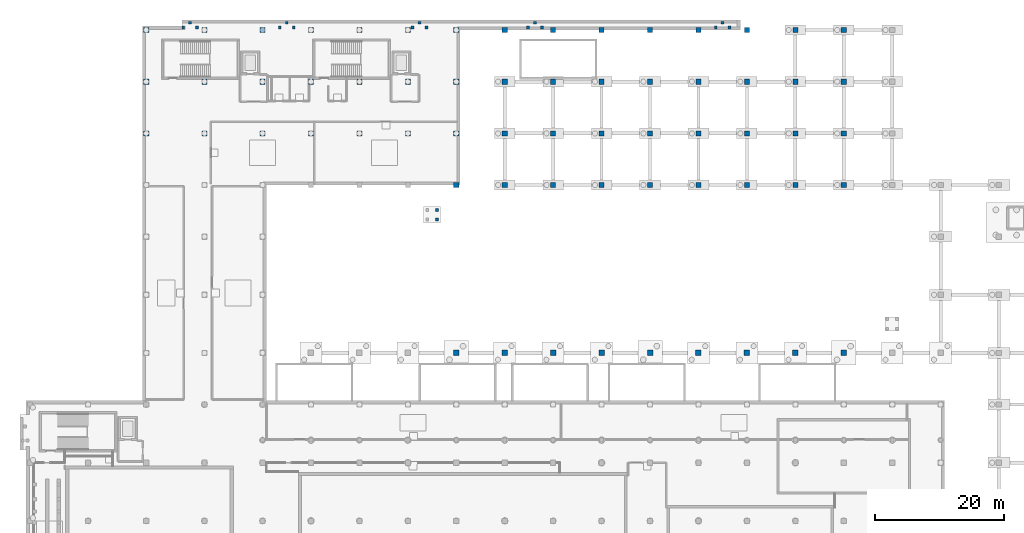
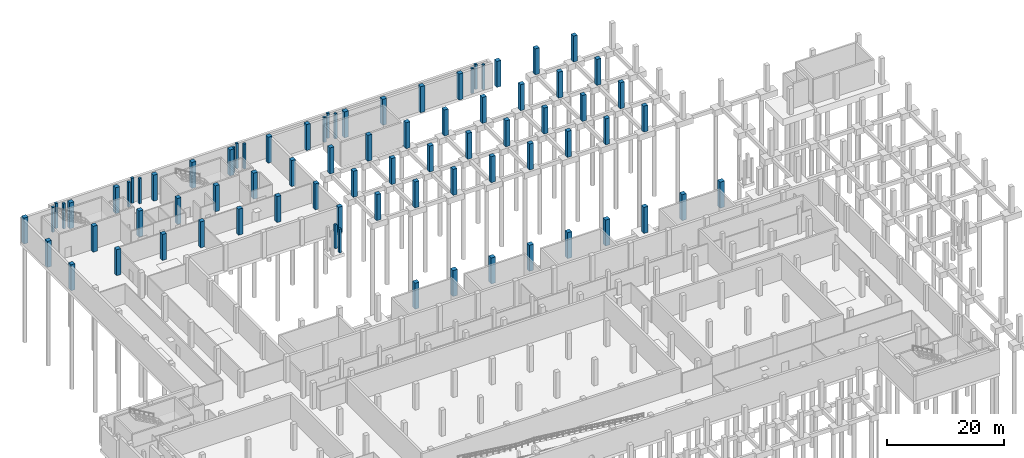
# One storey, part 5 of 19: 80 columns.
"""IFC4 building model written with IfcOpenShell, lengths in metres."""

from ifc_helpers import new_model, si_unit, direction, frame, origin, origin_2d, place, context, subcontext, project, spatial, rectangle, extrude, material, material_profile, profile_set, type_object, element, save


model = new_model("IFC4")

# Units and contexts
model_context = context("Model", 3, precision=1e-05, world=origin(), true_north=direction((0.0, 1.0)))
body_context = subcontext(model_context, "Body", "Model", "MODEL_VIEW")
ifc_project = project(units=[si_unit("LENGTHUNIT", "METRE"), si_unit("AREAUNIT", "SQUARE_METRE"), si_unit("VOLUMEUNIT", "CUBIC_METRE"), si_unit("PLANEANGLEUNIT", "RADIAN"), si_unit("MASSUNIT", "GRAM", prefix="KILO")], contexts=[model_context])

# Site, building, storey
site_placement = place(None, origin())
site = spatial("IfcSite", under=ifc_project, at=site_placement, CompositionType="ELEMENT")
building_placement = place(site_placement, origin())
building = spatial("IfcBuilding", under=site, at=building_placement, Name="Vourika Railside Aquatics Centre", CompositionType="ELEMENT")
storey_placement = place(building_placement, frame((0.0, 0.0, -5.39990234375)))
storey = spatial("IfcBuildingStorey", under=building, at=storey_placement, Name="B1", CompositionType="ELEMENT", Elevation=-5.39990234375)

# Columns
ifc_material_1 = material(Name="Concrete C35/45", Category="concrete")
ifc_material_profile_1 = material_profile(ifc_material_1, rectangle(XDim=0.449951171875, YDim=0.449951171875, at=origin_2d()), Name="RC 450x450")
ifc_profile_set_1 = profile_set([ifc_material_profile_1], Name="Concrete C35/45")
column_type_1 = type_object("IfcColumnType", Name="COL-RC450", PredefinedType="COLUMN", material=ifc_profile_set_1)
for number, where, z_axis, x_axis, name in (
    (1, (63.0, 86.64990234375, 0.0), (0.0, 0.0, 1.0), (1.0, 0.0, 0.0), "Accessible Ramp Apron Pier 2"),
    (2, (63.0, 88.14990234375, 0.0), (0.0, 0.0, 1.0), (1.0, 0.0, 0.0), "Accessible Ramp Apron Pier 2"),
):
    element("IfcColumn", number, at=place(storey_placement, frame(where, z_axis=z_axis, x_axis=x_axis)), inside=storey, type_object=column_type_1, Name=name, PredefinedType="COLUMN", context=body_context, shape_type="SweptSolid", body=[
        extrude(rectangle(XDim=0.449951171875, YDim=0.449951171875, at=origin_2d()), origin(), (0.0, 0.0, 1.0), 4.93994140625),
    ])
for number, where, z_axis, x_axis, name in (
    (3, (23.719970703125, 116.3701171875, 0.0), (0.0, 0.0, 1.0), (1.0, 0.0, 0.0), "Threshold Apron Support Pier V5N_0-1"),
    (4, (25.8798828125, 116.3701171875, 0.0), (0.0, 0.0, 1.0), (1.0, 0.0, 0.0), "Threshold Apron Support Pier V5N_0-2"),
    (5, (24.800048828125, 117.1298828125, 0.0), (0.0, 0.0, 1.0), (1.0, 0.0, 0.0), "Threshold Apron Support Pier V5N_0-3"),
    (6, (38.669921875, 116.3701171875, 0.0), (0.0, 0.0, 1.0), (1.0, 0.0, 0.0), "Threshold Apron Support Pier V5N_2-1"),
    (7, (40.830078125, 116.3701171875, 0.0), (0.0, 0.0, 1.0), (1.0, 0.0, 0.0), "Threshold Apron Support Pier V5N_2-2"),
    (8, (39.75, 117.1298828125, 0.0), (0.0, 0.0, 1.0), (1.0, 0.0, 0.0), "Threshold Apron Support Pier V5N_2-3"),
    (9, (59.219970703125, 116.3701171875, 0.0), (0.0, 0.0, 1.0), (1.0, 0.0, 0.0), "Threshold Apron Support Pier V5N_5-1"),
    (10, (61.3798828125, 116.3701171875, 0.0), (0.0, 0.0, 1.0), (1.0, 0.0, 0.0), "Threshold Apron Support Pier V5N_5-2"),
    (11, (60.300048828125, 117.1298828125, 0.0), (0.0, 0.0, 1.0), (1.0, 0.0, 0.0), "Threshold Apron Support Pier V5N_5-3"),
    (12, (77.1201171875, 116.3701171875, 0.0), (0.0, 0.0, 1.0), (1.0, 0.0, 0.0), "Threshold Apron Support Pier V5N_7-1"),
    (13, (79.280029296875, 116.3701171875, 0.0), (0.0, 0.0, 1.0), (1.0, 0.0, 0.0), "Threshold Apron Support Pier V5N_7-2"),
    (14, (78.199951171875, 117.1298828125, 0.0), (0.0, 0.0, 1.0), (1.0, 0.0, 0.0), "Threshold Apron Support Pier V5N_7-3"),
    (15, (106.169921875, 116.3701171875, 0.0), (0.0, 0.0, 1.0), (1.0, 0.0, 0.0), "Threshold Apron Support Pier V5N_11-1"),
    (16, (108.330078125, 116.3701171875, 0.0), (0.0, 0.0, 1.0), (1.0, 0.0, 0.0), "Threshold Apron Support Pier V5N_11-2"),
    (17, (107.25, 117.1298828125, 0.0), (0.0, 0.0, 1.0), (1.0, 0.0, 0.0), "Threshold Apron Support Pier V5N_11-3"),
):
    element("IfcColumn", number, at=place(storey_placement, frame(where, z_axis=z_axis, x_axis=x_axis)), inside=storey, type_object=column_type_1, Name=name, PredefinedType="COLUMN", context=body_context, shape_type="SweptSolid", body=[
        extrude(rectangle(XDim=0.449951171875, YDim=0.449951171875, at=origin_2d()), origin(), (0.0, 0.0, 1.0), 5.18994140625),
    ])
ifc_material_2 = material(Name="Concrete C40/50", Category="concrete")
ifc_material_profile_2 = material_profile(ifc_material_2, rectangle(XDim=0.800048828125, YDim=0.800048828125, at=origin_2d()), Name="RC 800x800")
ifc_profile_set_2 = profile_set([ifc_material_profile_2], Name="Concrete C40/50")
column_type_2 = type_object("IfcColumnType", Name="COL-RC800", PredefinedType="COLUMN", material=ifc_profile_set_2)
for number, where, z_axis, x_axis, name in (
    (18, (18.0, 100.0, 0.0), (0.0, 0.0, 1.0), (1.0, 0.0, 0.0), "Column col:B1:180_1000"),
    (19, (18.0, 108.0, 0.0), (0.0, 0.0, 1.0), (1.0, 0.0, 0.0), "Column col:B1:180_1080"),
    (20, (18.0, 116.0, 0.0), (0.0, 0.0, 1.0), (1.0, 0.0, 0.0), "Column col:B1:180_1160"),
    (21, (27.0, 100.0, 0.0), (0.0, 0.0, 1.0), (1.0, 0.0, 0.0), "Column col:B1:270_1000"),
    (22, (27.0, 108.0, 0.0), (0.0, 0.0, 1.0), (1.0, 0.0, 0.0), "Column col:B1:270_1080"),
    (23, (27.0, 116.0, 0.0), (0.0, 0.0, 1.0), (1.0, 0.0, 0.0), "Column col:B1:270_1160"),
    (24, (36.0, 100.0, 0.0), (0.0, 0.0, 1.0), (1.0, 0.0, 0.0), "Column col:B1:360_1000"),
    (25, (36.0, 108.0, 0.0), (0.0, 0.0, 1.0), (1.0, 0.0, 0.0), "Column col:B1:360_1080"),
    (26, (36.0, 116.0, 0.0), (0.0, 0.0, 1.0), (1.0, 0.0, 0.0), "Column col:B1:360_1160"),
    (27, (43.5, 100.0, 0.0), (0.0, 0.0, 1.0), (1.0, 0.0, 0.0), "Column col:B1:435_1000"),
    (28, (43.5, 108.0, 0.0), (0.0, 0.0, 1.0), (1.0, 0.0, 0.0), "Column col:B1:435_1080"),
    (29, (43.5, 116.0, 0.0), (0.0, 0.0, 1.0), (1.0, 0.0, 0.0), "Column col:B1:435_1160"),
    (30, (51.0, 100.0, 0.0), (0.0, 0.0, 1.0), (1.0, 0.0, 0.0), "Column col:B1:510_1000"),
    (31, (51.0, 108.0, 0.0), (0.0, 0.0, 1.0), (1.0, 0.0, 0.0), "Column col:B1:510_1080"),
    (32, (51.0, 116.0, 0.0), (0.0, 0.0, 1.0), (1.0, 0.0, 0.0), "Column col:B1:510_1160"),
    (33, (58.5, 100.0, 0.0), (0.0, 0.0, 1.0), (1.0, 0.0, 0.0), "Column col:B1:585_1000"),
    (34, (58.5, 108.0, 0.0), (0.0, 0.0, 1.0), (1.0, 0.0, 0.0), "Column col:B1:585_1080"),
    (35, (58.5, 116.0, 0.0), (0.0, 0.0, 1.0), (1.0, 0.0, 0.0), "Column col:B1:585_1160"),
    (36, (66.0, 92.0, 0.0), (0.0, 0.0, 1.0), (1.0, 0.0, 0.0), "Column col:B1:660_920"),
    (37, (66.0, 100.0, 0.0), (0.0, 0.0, 1.0), (1.0, 0.0, 0.0), "Column col:B1:660_1000"),
    (38, (66.0, 108.0, 0.0), (0.0, 0.0, 1.0), (1.0, 0.0, 0.0), "Column col:B1:660_1080"),
    (39, (66.0, 116.0, 0.0), (0.0, 0.0, 1.0), (1.0, 0.0, 0.0), "Column col:B1:660_1160"),
    (40, (73.5, 92.0, 0.0), (0.0, 0.0, 1.0), (1.0, 0.0, 0.0), "Column col:B1:735_920"),
    (41, (73.5, 100.0, 0.0), (0.0, 0.0, 1.0), (1.0, 0.0, 0.0), "Column col:B1:735_1000"),
    (42, (73.5, 108.0, 0.0), (0.0, 0.0, 1.0), (1.0, 0.0, 0.0), "Column col:B1:735_1080"),
    (43, (73.5, 116.0, 0.0), (0.0, 0.0, 1.0), (1.0, 0.0, 0.0), "Column col:B1:735_1160"),
    (44, (81.0, 92.0, 0.0), (0.0, 0.0, 1.0), (1.0, 0.0, 0.0), "Column col:B1:810_920"),
    (45, (81.0, 100.0, 0.0), (0.0, 0.0, 1.0), (1.0, 0.0, 0.0), "Column col:B1:810_1000"),
    (46, (81.0, 108.0, 0.0), (0.0, 0.0, 1.0), (1.0, 0.0, 0.0), "Column col:B1:810_1080"),
    (47, (81.0, 116.0, 0.0), (0.0, 0.0, 1.0), (1.0, 0.0, 0.0), "Column col:B1:810_1160"),
    (48, (88.5, 92.0, 0.0), (0.0, 0.0, 1.0), (1.0, 0.0, 0.0), "Column col:B1:885_920"),
    (49, (88.5, 100.0, 0.0), (0.0, 0.0, 1.0), (1.0, 0.0, 0.0), "Column col:B1:885_1000"),
    (50, (88.5, 108.0, 0.0), (0.0, 0.0, 1.0), (1.0, 0.0, 0.0), "Column col:B1:885_1080"),
    (51, (88.5, 116.0, 0.0), (0.0, 0.0, 1.0), (1.0, 0.0, 0.0), "Column col:B1:885_1160"),
    (52, (96.0, 92.0, 0.0), (0.0, 0.0, 1.0), (1.0, 0.0, 0.0), "Column col:B1:960_920"),
    (53, (96.0, 100.0, 0.0), (0.0, 0.0, 1.0), (1.0, 0.0, 0.0), "Column col:B1:960_1000"),
    (54, (96.0, 108.0, 0.0), (0.0, 0.0, 1.0), (1.0, 0.0, 0.0), "Column col:B1:960_1080"),
    (55, (96.0, 116.0, 0.0), (0.0, 0.0, 1.0), (1.0, 0.0, 0.0), "Column col:B1:960_1160"),
    (56, (103.5, 92.0, 0.0), (0.0, 0.0, 1.0), (1.0, 0.0, 0.0), "Column col:B1:1035_920"),
    (57, (103.5, 100.0, 0.0), (0.0, 0.0, 1.0), (1.0, 0.0, 0.0), "Column col:B1:1035_1000"),
    (58, (103.5, 108.0, 0.0), (0.0, 0.0, 1.0), (1.0, 0.0, 0.0), "Column col:B1:1035_1080"),
    (59, (103.5, 116.0, 0.0), (0.0, 0.0, 1.0), (1.0, 0.0, 0.0), "Column col:B1:1035_1160"),
    (60, (111.0, 92.0, 0.0), (0.0, 0.0, 1.0), (1.0, 0.0, 0.0), "Column col:B1:1110_920"),
    (61, (111.0, 100.0, 0.0), (0.0, 0.0, 1.0), (1.0, 0.0, 0.0), "Column col:B1:1110_1000"),
    (62, (111.0, 108.0, 0.0), (0.0, 0.0, 1.0), (1.0, 0.0, 0.0), "Column col:B1:1110_1080"),
    (63, (111.0, 116.0, 0.0), (0.0, 0.0, 1.0), (1.0, 0.0, 0.0), "Column col:B1:1110_1160"),
    (64, (118.5, 92.0, 0.0), (0.0, 0.0, 1.0), (1.0, 0.0, 0.0), "Column col:B1:1185_920"),
    (65, (118.5, 100.0, 0.0), (0.0, 0.0, 1.0), (1.0, 0.0, 0.0), "Column col:B1:1185_1000"),
    (66, (118.5, 108.0, 0.0), (0.0, 0.0, 1.0), (1.0, 0.0, 0.0), "Column col:B1:1185_1080"),
    (67, (118.5, 116.0, 0.0), (0.0, 0.0, 1.0), (1.0, 0.0, 0.0), "Column col:B1:1185_1160"),
    (68, (126.0, 92.0, 0.0), (0.0, 0.0, 1.0), (1.0, 0.0, 0.0), "Column col:B1:1260_920"),
    (69, (126.0, 100.0, 0.0), (0.0, 0.0, 1.0), (1.0, 0.0, 0.0), "Column col:B1:1260_1000"),
    (70, (126.0, 108.0, 0.0), (0.0, 0.0, 1.0), (1.0, 0.0, 0.0), "Column col:B1:1260_1080"),
    (71, (126.0, 116.0, 0.0), (0.0, 0.0, 1.0), (1.0, 0.0, 0.0), "Column col:B1:1260_1160"),
):
    element("IfcColumn", number, at=place(storey_placement, frame(where, z_axis=z_axis, x_axis=x_axis)), inside=storey, type_object=column_type_2, Name=name, PredefinedType="COLUMN", context=body_context, shape_type="SweptSolid", body=[
        extrude(rectangle(XDim=0.800048828125, YDim=0.800048828125, at=origin_2d()), origin(), (0.0, 0.0, 1.0), 5.39990234375),
    ])
ifc_material_profile_3 = material_profile(ifc_material_2, rectangle(XDim=0.85009765625, YDim=0.85009765625, at=origin_2d()), Name="RC 850x850")
ifc_profile_set_3 = profile_set([ifc_material_profile_3], Name="Concrete C40/50")
column_type_3 = type_object("IfcColumnType", Name="COL-RC850", PredefinedType="COLUMN", material=ifc_profile_set_3)
for number, where, z_axis, x_axis, name in (
    (72, (66.0, 66.0, 0.0), (0.0, 0.0, 1.0), (1.0, 0.0, 0.0), "Column col:B1:660_660"),
    (73, (73.5, 66.0, 0.0), (0.0, 0.0, 1.0), (1.0, 0.0, 0.0), "Column col:B1:735_660"),
    (74, (81.0, 66.0, 0.0), (0.0, 0.0, 1.0), (1.0, 0.0, 0.0), "Column col:B1:810_660"),
    (75, (88.5, 66.0, 0.0), (0.0, 0.0, 1.0), (1.0, 0.0, 0.0), "Column col:B1:885_660"),
    (76, (96.0, 66.0, 0.0), (0.0, 0.0, 1.0), (1.0, 0.0, 0.0), "Column col:B1:960_660"),
    (77, (103.5, 66.0, 0.0), (0.0, 0.0, 1.0), (1.0, 0.0, 0.0), "Column col:B1:1035_660"),
    (78, (111.0, 66.0, 0.0), (0.0, 0.0, 1.0), (1.0, 0.0, 0.0), "Column col:B1:1110_660"),
    (79, (118.5, 66.0, 0.0), (0.0, 0.0, 1.0), (1.0, 0.0, 0.0), "Column col:B1:1185_660"),
    (80, (126.0, 66.0, 0.0), (0.0, 0.0, 1.0), (1.0, 0.0, 0.0), "Column col:B1:1260_660"),
):
    element("IfcColumn", number, at=place(storey_placement, frame(where, z_axis=z_axis, x_axis=x_axis)), inside=storey, type_object=column_type_3, Name=name, PredefinedType="COLUMN", context=body_context, shape_type="SweptSolid", body=[
        extrude(rectangle(XDim=0.85009765625, YDim=0.85009765625, at=origin_2d()), origin(), (0.0, 0.0, 1.0), 5.39990234375),
    ])

save(model, "model.ifc")
